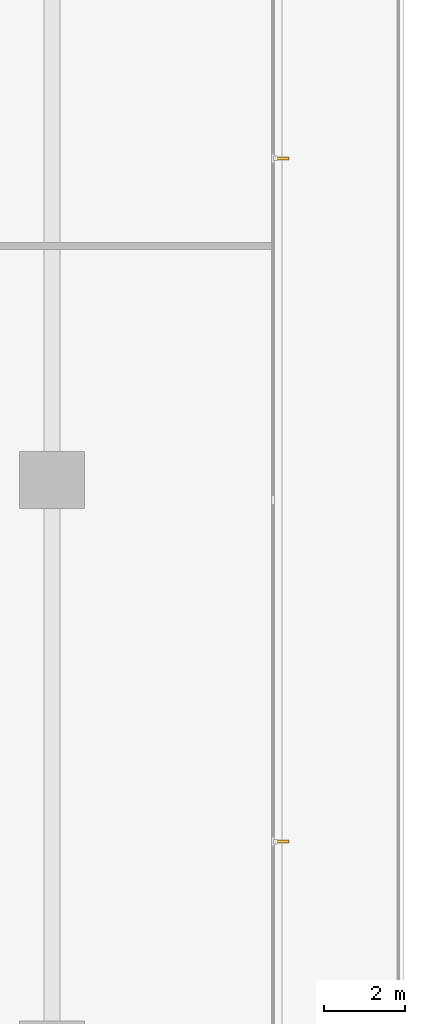
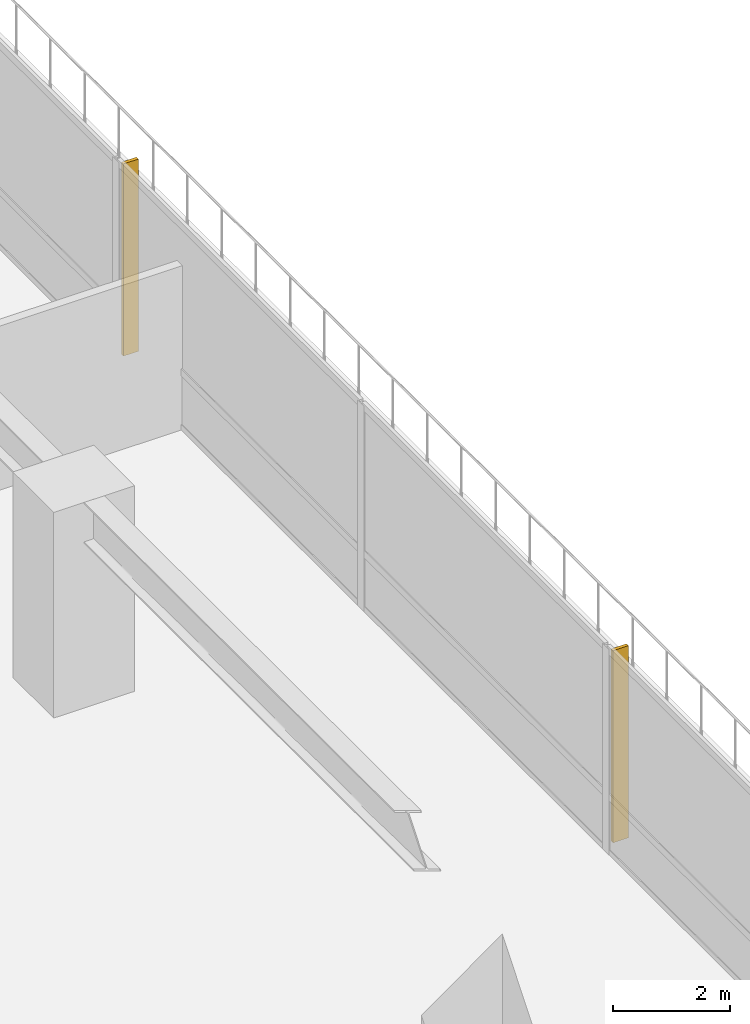
# One storey, part 25 of 27: 2 shading devices.
"""IFC4 building model written with IfcOpenShell, lengths in metres."""

from ifc_helpers import new_model, si_unit, direction, frame, origin, place, context, subcontext, project, spatial, polyline, outline, extrude, material, layer, layer_set, type_object, element, save


model = new_model("IFC4")

# Units and contexts
model_context = context("Model", 3, precision=1e-05, world=origin(), true_north=direction((0.0, 1.0)))
body_context = subcontext(model_context, "Body", "Model", "MODEL_VIEW")
ifc_project = project(units=[si_unit("LENGTHUNIT", "METRE"), si_unit("AREAUNIT", "SQUARE_METRE"), si_unit("VOLUMEUNIT", "CUBIC_METRE"), si_unit("PLANEANGLEUNIT", "RADIAN"), si_unit("MASSUNIT", "GRAM", prefix="KILO")], contexts=[model_context])

# Site, building, storey
site_placement = place(None, origin())
site = spatial("IfcSite", under=ifc_project, at=site_placement, CompositionType="ELEMENT")
building_placement = place(site_placement, origin())
building = spatial("IfcBuilding", under=site, at=building_placement, Name="Qalmaran Belvedere Hotel", CompositionType="ELEMENT")
storey_placement = place(building_placement, frame((0.0, 0.0, 5.39990234375)))
storey = spatial("IfcBuildingStorey", under=building, at=storey_placement, Name="L01", CompositionType="ELEMENT", Elevation=5.39990234375)

# Shading devices
ifc_material = material(Name="Anodised Bronze Aluminium", Category="aluminium")
ifc_layer = layer(ifc_material, 0.06494140625, Name="Anodised Bronze Aluminium")
ifc_layer_set = layer_set([ifc_layer], Name="Anodised Bronze Aluminium")
shading_device_type = type_object("IfcShadingDeviceType", Name="FIN-BRNZ-300", PredefinedType="USERDEFINED", material=ifc_layer_set)
shading_device_1_placement = place(storey_placement, frame((0.0, 0.0, 0.16015625)))
element("IfcShadingDevice", 1, at=shading_device_1_placement, inside=storey, type_object=shading_device_type, Name="L01 Bronze Fin 1", ObjectType="FIN", PredefinedType="USERDEFINED", context=body_context, shape_type="SweptSolid", body=[
    extrude(outline(polyline([(75.87255859375, 8.580810546875), (76.172607421875, 8.580810546875), (76.172607421875, 8.645751953125), (75.87255859375, 8.645751953125), (75.87255859375, 8.580810546875)])), origin(), (0.0, 0.0, 1.0), 4.02001953125),
])
shading_device_2_placement = place(storey_placement, frame((0.0, 0.0, 0.16015625)))
element("IfcShadingDevice", 2, at=shading_device_2_placement, inside=storey, type_object=shading_device_type, Name="L01 Bronze Fin 3", ObjectType="FIN", PredefinedType="USERDEFINED", context=body_context, shape_type="SweptSolid", body=[
    extrude(outline(polyline([(75.87255859375, 25.367431640625), (76.172607421875, 25.367431640625), (76.172607421875, 25.4326171875), (75.87255859375, 25.4326171875), (75.87255859375, 25.367431640625)])), origin(), (0.0, 0.0, 1.0), 4.02001953125),
])

save(model, "model.ifc")
